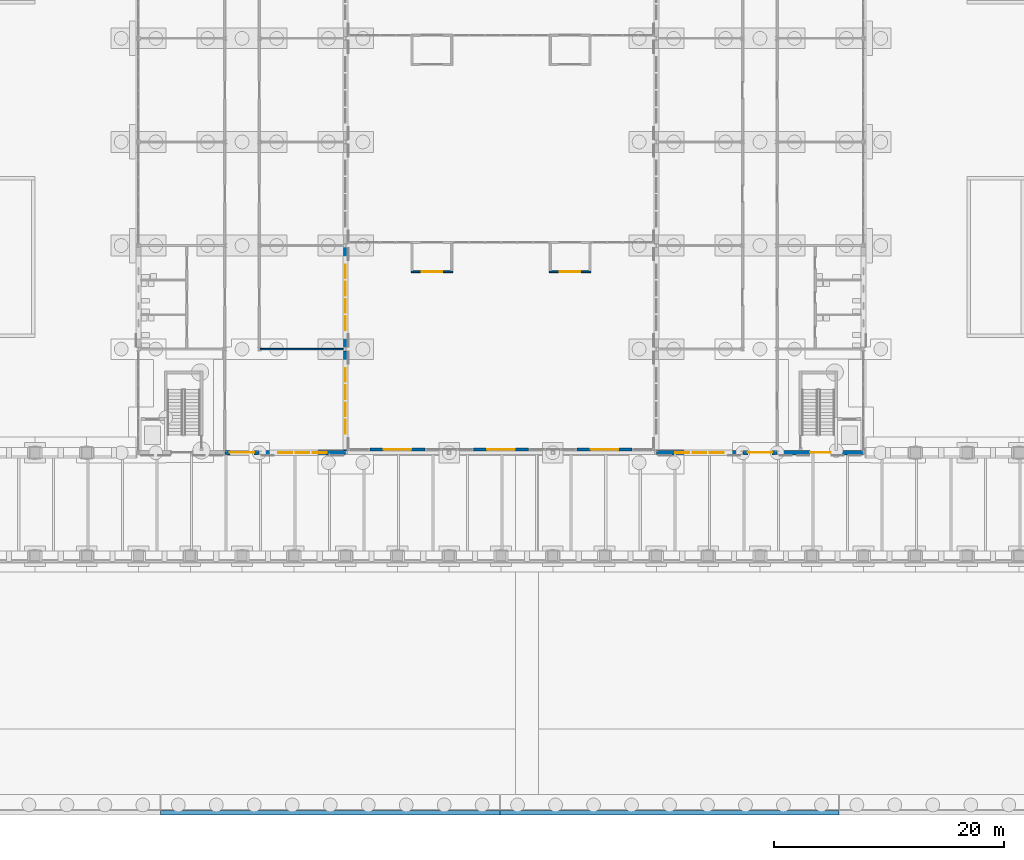
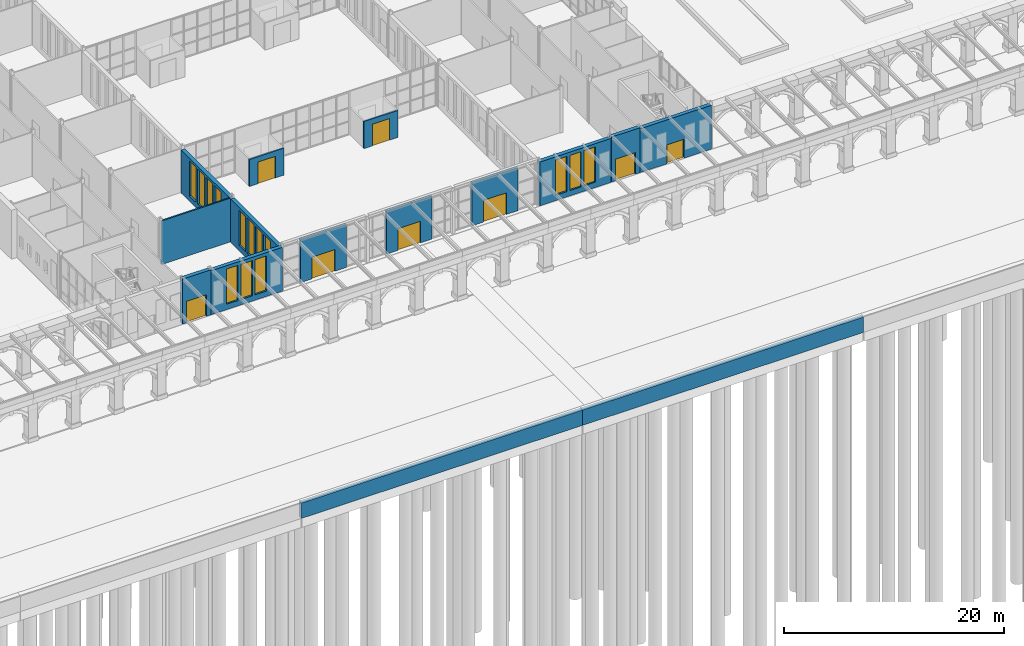
# One storey, part 87 of 168: 15 walls, 14 windows, 8 doors, 22 openings.
"""IFC4 building model written with IfcOpenShell, lengths in metres."""

from ifc_helpers import new_model, si_unit, direction, frame, frame_2d, origin, place, context, subcontext, project, spatial, rectangle, extrude, material, layer, layer_set, type_object, element, fill, save


model = new_model("IFC4")

# Units and contexts
model_context = context("Model", 3, precision=1e-05, world=origin(), true_north=direction((0.0, 1.0)))
body_context = subcontext(model_context, "Body", "Model", "MODEL_VIEW")
ifc_project = project(units=[si_unit("LENGTHUNIT", "METRE"), si_unit("AREAUNIT", "SQUARE_METRE"), si_unit("VOLUMEUNIT", "CUBIC_METRE"), si_unit("PLANEANGLEUNIT", "RADIAN"), si_unit("MASSUNIT", "GRAM", prefix="KILO")], contexts=[model_context])

# Site, building, storey
site_placement = place(None, origin())
site = spatial("IfcSite", under=ifc_project, at=site_placement, CompositionType="ELEMENT")
building_placement = place(site_placement, origin())
building = spatial("IfcBuilding", under=site, at=building_placement, Name="Golden Quay Civic Hall", CompositionType="ELEMENT")
storey_placement = place(building_placement, origin())
storey = spatial("IfcBuildingStorey", under=building, at=storey_placement, Name="L00", CompositionType="ELEMENT", Elevation=0.0)

# Wall, opening, door
ifc_material_1 = material(Name="Fire-resisting glass and steel", Category="steel")
ifc_layer_1 = layer(ifc_material_1, 0.14990234375)
ifc_layer_set_1 = layer_set([ifc_layer_1], Name="Fire lobby glazed wall 150")
wall_type_1 = type_object("IfcWallType", Name="Fire lobby glazed wall 150", PredefinedType="STANDARD", material=ifc_layer_set_1)
wall_1_placement = place(storey_placement, frame((77.699951171875, 15.719970703125, 0.0), z_axis=(0.0, 0.0, 1.0), x_axis=(1.0, 0.0, 0.0)))
wall_1 = element("IfcWall", 1, at=wall_1_placement, inside=storey, type_object=wall_type_1, Name="Fire lobby outer wall 1", PredefinedType="STANDARD", context=body_context, shape_type="SweptSolid", body=[
    extrude(rectangle(XDim=3.60009765625, YDim=0.14990234375, at=frame_2d((1.800048828125, 0.0))), origin(), (0.0, 0.0, 1.0), 3.0),
])
opening_1_placement = place(wall_1_placement, frame((0.89990234375, 0.0, 0.0)))
opening_1 = element("IfcOpeningElement", 2, at=opening_1_placement, cuts=wall_1, Name="Opening L00-D028", PredefinedType="OPENING", context=body_context, shape_type="SweptSolid", body=[
    extrude(rectangle(XDim=1.800048828125, YDim=2.39990234375, at=frame_2d((0.89990234375, 1.199951171875))), frame((0.0, 0.0849609375, 0.0), z_axis=(0.0, -1.0, 0.0), x_axis=(1.0, 0.0, 0.0)), (0.0, 0.0, 1.0), 0.169921875),
])
ifc_material_2 = material(Name="Fire-resisting glass and steel", Category="steel")
door_type_1 = type_object("IfcDoorType", Name="Fire-rated glazed double door 1800 x 2400", OperationType="DOUBLE_DOOR_SINGLE_SWING", PredefinedType="DOOR", material=ifc_material_2)
door_1_placement = place(opening_1_placement, origin())
door_1 = element("IfcDoor", 3, at=door_1_placement, inside=storey, type_object=door_type_1, Name="Fire lobby door 1", OperationType="DOUBLE_DOOR_SINGLE_SWING", OverallHeight=2.39990234375, OverallWidth=1.800048828125, PredefinedType="DOOR", context=body_context, shape_type="SweptSolid", body=[
    extrude(rectangle(XDim=1.800048828125, YDim=2.39990234375, at=frame_2d((0.89990234375, 1.199951171875))), frame((0.0, 0.02490234375, 0.0), z_axis=(0.0, -1.0, 0.0), x_axis=(1.0, 0.0, 0.0)), (0.0, 0.0, 1.0), 0.050048828125),
])
fill(opening_1, door_1)

wall_2_placement = place(storey_placement, frame((89.699951171875, 15.719970703125, 0.0), z_axis=(0.0, 0.0, 1.0), x_axis=(1.0, 0.0, 0.0)))
wall_2 = element("IfcWall", 4, at=wall_2_placement, inside=storey, type_object=wall_type_1, Name="Fire lobby outer wall 1", PredefinedType="STANDARD", context=body_context, shape_type="SweptSolid", body=[
    extrude(rectangle(XDim=3.60009765625, YDim=0.14990234375, at=frame_2d((1.800048828125, 0.0))), origin(), (0.0, 0.0, 1.0), 3.0),
])
opening_2_placement = place(wall_2_placement, frame((0.89990234375, 0.0, 0.0)))
opening_2 = element("IfcOpeningElement", 5, at=opening_2_placement, cuts=wall_2, Name="Opening L00-D029", PredefinedType="OPENING", context=body_context, shape_type="SweptSolid", body=[
    extrude(rectangle(XDim=1.800048828125, YDim=2.39990234375, at=frame_2d((0.89990234375, 1.199951171875))), frame((0.0, 0.0849609375, 0.0), z_axis=(0.0, -1.0, 0.0), x_axis=(1.0, 0.0, 0.0)), (0.0, 0.0, 1.0), 0.169921875),
])
door_2_placement = place(opening_2_placement, origin())
door_2 = element("IfcDoor", 6, at=door_2_placement, inside=storey, type_object=door_type_1, Name="Fire lobby door 1", OperationType="DOUBLE_DOOR_SINGLE_SWING", OverallHeight=2.39990234375, OverallWidth=1.800048828125, PredefinedType="DOOR", context=body_context, shape_type="SweptSolid", body=[
    extrude(rectangle(XDim=1.800048828125, YDim=2.39990234375, at=frame_2d((0.89990234375, 1.199951171875))), frame((0.0, 0.02490234375, 0.0), z_axis=(0.0, -1.0, 0.0), x_axis=(1.0, 0.0, 0.0)), (0.0, 0.0, 1.0), 0.050048828125),
])
fill(opening_2, door_2)

ifc_material_3 = material(Name="Glass and aluminium", Category="aluminium")
ifc_layer_2 = layer(ifc_material_3, 0.25)
ifc_layer_set_2 = layer_set([ifc_layer_2], Name="Glazed entrance screen 250")
wall_type_2 = type_object("IfcWallType", Name="Glazed entrance screen 250", PredefinedType="STANDARD", material=ifc_layer_set_2)
wall_3_placement = place(storey_placement, frame((78.89990234375, 0.27001953125, 0.0), z_axis=(0.0, 0.0, 1.0), x_axis=(-1.0, 0.0, 0.0)))
wall_3 = element("IfcWall", 7, at=wall_3_placement, inside=storey, type_object=wall_type_2, Name="Entrance screen HALL-1", PredefinedType="STANDARD", context=body_context, shape_type="SweptSolid", body=[
    extrude(rectangle(XDim=4.7998046875, YDim=0.25, at=frame_2d((2.39990234375, 0.0))), origin(), (0.0, 0.0, 1.0), 4.800048828125),
])
opening_3_placement = place(wall_3_placement, frame((1.199951171875, 0.0, 0.0)))
opening_3 = element("IfcOpeningElement", 8, at=opening_3_placement, cuts=wall_3, Name="Opening L00-D017", PredefinedType="OPENING", context=body_context, shape_type="SweptSolid", body=[
    extrude(rectangle(XDim=2.39990234375, YDim=2.39990234375, at=frame_2d((1.199951171875, 1.199951171875))), frame((0.0, 0.135009765625, 0.0), z_axis=(0.0, -1.0, 0.0), x_axis=(1.0, 0.0, 0.0)), (0.0, 0.0, 1.0), 0.27001953125),
])
ifc_material_4 = material(Name="Glass and aluminium", Category="aluminium")
door_type_2 = type_object("IfcDoorType", Name="Glazed double door 2400 x 2400", OperationType="DOUBLE_DOOR_SINGLE_SWING", PredefinedType="DOOR", material=ifc_material_4)
door_3_placement = place(opening_3_placement, origin())
door_3 = element("IfcDoor", 9, at=door_3_placement, inside=storey, type_object=door_type_2, Name="Door HALL-1", OperationType="DOUBLE_DOOR_SINGLE_SWING", OverallHeight=2.39990234375, OverallWidth=2.39990234375, PredefinedType="DOOR", context=body_context, shape_type="SweptSolid", body=[
    extrude(rectangle(XDim=2.39990234375, YDim=2.39990234375, at=frame_2d((1.199951171875, 1.199951171875))), frame((0.0, 0.02490234375, 0.0), z_axis=(0.0, -1.0, 0.0), x_axis=(1.0, 0.0, 0.0)), (0.0, 0.0, 1.0), 0.050048828125),
])
fill(opening_3, door_3)

wall_4_placement = place(storey_placement, frame((87.89990234375, 0.27001953125, 0.0), z_axis=(0.0, 0.0, 1.0), x_axis=(-1.0, 0.0, 0.0)))
wall_4 = element("IfcWall", 10, at=wall_4_placement, inside=storey, type_object=wall_type_2, Name="Entrance screen HALL-2", PredefinedType="STANDARD", context=body_context, shape_type="SweptSolid", body=[
    extrude(rectangle(XDim=4.7998046875, YDim=0.25, at=frame_2d((2.39990234375, 0.0))), origin(), (0.0, 0.0, 1.0), 4.800048828125),
])
opening_4_placement = place(wall_4_placement, frame((1.199951171875, 0.0, 0.0)))
opening_4 = element("IfcOpeningElement", 11, at=opening_4_placement, cuts=wall_4, Name="Opening L00-D018", PredefinedType="OPENING", context=body_context, shape_type="SweptSolid", body=[
    extrude(rectangle(XDim=2.39990234375, YDim=2.39990234375, at=frame_2d((1.199951171875, 1.199951171875))), frame((0.0, 0.135009765625, 0.0), z_axis=(0.0, -1.0, 0.0), x_axis=(1.0, 0.0, 0.0)), (0.0, 0.0, 1.0), 0.27001953125),
])
door_4_placement = place(opening_4_placement, origin())
door_4 = element("IfcDoor", 12, at=door_4_placement, inside=storey, type_object=door_type_2, Name="Door HALL-2", OperationType="DOUBLE_DOOR_SINGLE_SWING", OverallHeight=2.39990234375, OverallWidth=2.39990234375, PredefinedType="DOOR", context=body_context, shape_type="SweptSolid", body=[
    extrude(rectangle(XDim=2.39990234375, YDim=2.39990234375, at=frame_2d((1.199951171875, 1.199951171875))), frame((0.0, 0.02490234375, 0.0), z_axis=(0.0, -1.0, 0.0), x_axis=(1.0, 0.0, 0.0)), (0.0, 0.0, 1.0), 0.050048828125),
])
fill(opening_4, door_4)

wall_5_placement = place(storey_placement, frame((96.89990234375, 0.27001953125, 0.0), z_axis=(0.0, 0.0, 1.0), x_axis=(-1.0, 0.0, 0.0)))
wall_5 = element("IfcWall", 13, at=wall_5_placement, inside=storey, type_object=wall_type_2, Name="Entrance screen HALL-3", PredefinedType="STANDARD", context=body_context, shape_type="SweptSolid", body=[
    extrude(rectangle(XDim=4.7998046875, YDim=0.25, at=frame_2d((2.39990234375, 0.0))), origin(), (0.0, 0.0, 1.0), 4.800048828125),
])
opening_5_placement = place(wall_5_placement, frame((1.199951171875, 0.0, 0.0)))
opening_5 = element("IfcOpeningElement", 14, at=opening_5_placement, cuts=wall_5, Name="Opening L00-D019", PredefinedType="OPENING", context=body_context, shape_type="SweptSolid", body=[
    extrude(rectangle(XDim=2.39990234375, YDim=2.39990234375, at=frame_2d((1.199951171875, 1.199951171875))), frame((0.0, 0.135009765625, 0.0), z_axis=(0.0, -1.0, 0.0), x_axis=(1.0, 0.0, 0.0)), (0.0, 0.0, 1.0), 0.27001953125),
])
door_5_placement = place(opening_5_placement, origin())
door_5 = element("IfcDoor", 15, at=door_5_placement, inside=storey, type_object=door_type_2, Name="Door HALL-3", OperationType="DOUBLE_DOOR_SINGLE_SWING", OverallHeight=2.39990234375, OverallWidth=2.39990234375, PredefinedType="DOOR", context=body_context, shape_type="SweptSolid", body=[
    extrude(rectangle(XDim=2.39990234375, YDim=2.39990234375, at=frame_2d((1.199951171875, 1.199951171875))), frame((0.0, 0.02490234375, 0.0), z_axis=(0.0, -1.0, 0.0), x_axis=(1.0, 0.0, 0.0)), (0.0, 0.0, 1.0), 0.050048828125),
])
fill(opening_5, door_5)

# Walls
ifc_material_5 = material(Name="Plasterboard on steel studs", Category="steel")
ifc_layer_3 = layer(ifc_material_5, 0.14990234375)
ifc_layer_set_3 = layer_set([ifc_layer_3], Name="Partition 150 stud fire EI 60")
wall_type_3 = type_object("IfcWallType", Name="Partition 150 stud fire EI 60", PredefinedType="PARTITIONING", material=ifc_layer_set_3)
wall_6_placement = place(storey_placement, frame((64.574951171875, 9.0, 0.0), z_axis=(0.0, 0.0, 1.0), x_axis=(1.0, 0.0, 0.0)))
element("IfcWall", 16, at=wall_6_placement, inside=storey, type_object=wall_type_3, Name="Partition L00-004", PredefinedType="PARTITIONING", context=body_context, shape_type="SweptSolid", body=[
    extrude(rectangle(XDim=7.22509765625, YDim=0.14990234375, at=frame_2d((3.612548828125, 0.0))), origin(), (0.0, 0.0, 1.0), 4.85009765625),
])
ifc_material_6 = material(Name="Concrete C40/50", Category="concrete")
ifc_layer_4 = layer(ifc_material_6, 0.39990234375)
ifc_layer_set_4 = layer_set([ifc_layer_4], Name="Quay wall 400")
wall_type_4 = type_object("IfcWallType", Name="Quay wall 400", PredefinedType="STANDARD", material=ifc_layer_set_4)
for number, where, z_axis, x_axis, name in (
    (17, (55.919921875, -31.300048828125, -0.60009765625), (0.0, 0.0, 1.0), (1.0, 0.0, 0.0), "Quay wall run 3"),
    (18, (85.39990234375, -31.300048828125, -0.60009765625), (0.0, 0.0, 1.0), (1.0, 0.0, 0.0), "Quay wall run 4"),
):
    element("IfcWall", number, at=place(storey_placement, frame(where, z_axis=z_axis, x_axis=x_axis)), inside=storey, type_object=wall_type_4, Name=name, PredefinedType="STANDARD", context=body_context, shape_type="SweptSolid", body=[
        extrude(rectangle(XDim=29.47998046875, YDim=0.39990234375, at=frame_2d((14.739990234375, 0.0))), origin(), (0.0, 0.0, 1.0), 1.7001953125),
    ])

# Wall, openings, windows
ifc_material_7 = material(Name="Clay block, rendered, cream")
ifc_layer_5 = layer(ifc_material_7, 0.39990234375)
ifc_layer_set_5 = layer_set([ifc_layer_5], Name="Rendered block external wall 400")
wall_type_5 = type_object("IfcWallType", Name="Rendered block external wall 400", PredefinedType="STANDARD", material=ifc_layer_set_5)
wall_7_placement = place(storey_placement, frame((72.0, 8.85498046875, 0.0), z_axis=(0.0, 0.0, 1.0), x_axis=(0.0, -1.0, 0.0)))
wall_7 = element("IfcWall", 19, at=wall_7_placement, inside=storey, type_object=wall_type_5, Name="Rendered block external wall 400 L00 24", PredefinedType="STANDARD", context=body_context, shape_type="SweptSolid", body=[
    extrude(rectangle(XDim=8.7099609375, YDim=0.39990234375, at=frame_2d((4.35498046875, 0.0))), origin(), (0.0, 0.0, 1.0), 4.800048828125),
])
opening_6_placement = place(wall_7_placement, frame((6.0048828125, 0.0, 0.60009765625)))
opening_6 = element("IfcOpeningElement", 20, at=opening_6_placement, cuts=wall_7, Name="Opening WN3", PredefinedType="OPENING", context=body_context, shape_type="SweptSolid", body=[
    extrude(rectangle(XDim=1.199951171875, YDim=3.89990234375, at=frame_2d((0.60009765625, 1.949951171875))), frame((0.0, 0.2099609375, 0.0), z_axis=(0.0, -1.0, 0.0), x_axis=(1.0, 0.0, 0.0)), (0.0, 0.0, 1.0), 0.419921875),
])
opening_7_placement = place(wall_7_placement, frame((4.5048828125, 0.0, 0.60009765625)))
opening_7 = element("IfcOpeningElement", 21, at=opening_7_placement, cuts=wall_7, Name="Opening WN3", PredefinedType="OPENING", context=body_context, shape_type="SweptSolid", body=[
    extrude(rectangle(XDim=1.199951171875, YDim=3.89990234375, at=frame_2d((0.60009765625, 1.949951171875))), frame((0.0, 0.2099609375, 0.0), z_axis=(0.0, -1.0, 0.0), x_axis=(1.0, 0.0, 0.0)), (0.0, 0.0, 1.0), 0.419921875),
])
opening_8_placement = place(wall_7_placement, frame((3.0048828125, 0.0, 0.60009765625)))
opening_8 = element("IfcOpeningElement", 22, at=opening_8_placement, cuts=wall_7, Name="Opening WN3", PredefinedType="OPENING", context=body_context, shape_type="SweptSolid", body=[
    extrude(rectangle(XDim=1.199951171875, YDim=3.89990234375, at=frame_2d((0.60009765625, 1.949951171875))), frame((0.0, 0.2099609375, 0.0), z_axis=(0.0, -1.0, 0.0), x_axis=(1.0, 0.0, 0.0)), (0.0, 0.0, 1.0), 0.419921875),
])
opening_9_placement = place(wall_7_placement, frame((1.5048828125, 0.0, 0.60009765625)))
opening_9 = element("IfcOpeningElement", 23, at=opening_9_placement, cuts=wall_7, Name="Opening WN3", PredefinedType="OPENING", context=body_context, shape_type="SweptSolid", body=[
    extrude(rectangle(XDim=1.199951171875, YDim=3.89990234375, at=frame_2d((0.60009765625, 1.949951171875))), frame((0.0, 0.2099609375, 0.0), z_axis=(0.0, -1.0, 0.0), x_axis=(1.0, 0.0, 0.0)), (0.0, 0.0, 1.0), 0.419921875),
])
ifc_material_8 = material(Name="Aluminium frame, double glazed", Category="aluminium")
window_type = type_object("IfcWindowType", Name="Golden grid window 1200 x 3900", PartitioningType="SINGLE_PANEL", PredefinedType="WINDOW", material=ifc_material_8)
window_1_placement = place(opening_6_placement, origin())
window_1 = element("IfcWindow", 24, at=window_1_placement, inside=storey, type_object=window_type, Name="Golden grid window 1200 x 3900 L00 43", OverallHeight=3.89990234375, OverallWidth=1.199951171875, PartitioningType="SINGLE_PANEL", PredefinedType="WINDOW", context=body_context, shape_type="SweptSolid", body=[
    extrude(rectangle(XDim=1.199951171875, YDim=3.89990234375, at=frame_2d((0.60009765625, 1.949951171875))), frame((0.0, 0.030029296875, 0.0), z_axis=(0.0, -1.0, 0.0), x_axis=(1.0, 0.0, 0.0)), (0.0, 0.0, 1.0), 0.06005859375),
])
fill(opening_6, window_1)
window_2_placement = place(opening_7_placement, origin())
window_2 = element("IfcWindow", 25, at=window_2_placement, inside=storey, type_object=window_type, Name="Golden grid window 1200 x 3900 L00 44", OverallHeight=3.89990234375, OverallWidth=1.199951171875, PartitioningType="SINGLE_PANEL", PredefinedType="WINDOW", context=body_context, shape_type="SweptSolid", body=[
    extrude(rectangle(XDim=1.199951171875, YDim=3.89990234375, at=frame_2d((0.60009765625, 1.949951171875))), frame((0.0, 0.030029296875, 0.0), z_axis=(0.0, -1.0, 0.0), x_axis=(1.0, 0.0, 0.0)), (0.0, 0.0, 1.0), 0.06005859375),
])
fill(opening_7, window_2)
window_3_placement = place(opening_8_placement, origin())
window_3 = element("IfcWindow", 26, at=window_3_placement, inside=storey, type_object=window_type, Name="Golden grid window 1200 x 3900 L00 45", OverallHeight=3.89990234375, OverallWidth=1.199951171875, PartitioningType="SINGLE_PANEL", PredefinedType="WINDOW", context=body_context, shape_type="SweptSolid", body=[
    extrude(rectangle(XDim=1.199951171875, YDim=3.89990234375, at=frame_2d((0.60009765625, 1.949951171875))), frame((0.0, 0.030029296875, 0.0), z_axis=(0.0, -1.0, 0.0), x_axis=(1.0, 0.0, 0.0)), (0.0, 0.0, 1.0), 0.06005859375),
])
fill(opening_8, window_3)
window_4_placement = place(opening_9_placement, origin())
window_4 = element("IfcWindow", 27, at=window_4_placement, inside=storey, type_object=window_type, Name="Golden grid window 1200 x 3900 L00 46", OverallHeight=3.89990234375, OverallWidth=1.199951171875, PartitioningType="SINGLE_PANEL", PredefinedType="WINDOW", context=body_context, shape_type="SweptSolid", body=[
    extrude(rectangle(XDim=1.199951171875, YDim=3.89990234375, at=frame_2d((0.60009765625, 1.949951171875))), frame((0.0, 0.030029296875, 0.0), z_axis=(0.0, -1.0, 0.0), x_axis=(1.0, 0.0, 0.0)), (0.0, 0.0, 1.0), 0.06005859375),
])
fill(opening_9, window_4)

wall_8_placement = place(storey_placement, frame((72.0, 17.85498046875, 0.0), z_axis=(0.0, 0.0, 1.0), x_axis=(0.0, -1.0, 0.0)))
wall_8 = element("IfcWall", 28, at=wall_8_placement, inside=storey, type_object=wall_type_5, Name="Rendered block external wall 400 L00 25", PredefinedType="STANDARD", context=body_context, shape_type="SweptSolid", body=[
    extrude(rectangle(XDim=8.7099609375, YDim=0.39990234375, at=frame_2d((4.35498046875, 0.0))), origin(), (0.0, 0.0, 1.0), 4.800048828125),
])
opening_10_placement = place(wall_8_placement, frame((6.0048828125, 0.0, 0.60009765625)))
opening_10 = element("IfcOpeningElement", 29, at=opening_10_placement, cuts=wall_8, Name="Opening WN3", PredefinedType="OPENING", context=body_context, shape_type="SweptSolid", body=[
    extrude(rectangle(XDim=1.199951171875, YDim=3.89990234375, at=frame_2d((0.60009765625, 1.949951171875))), frame((0.0, 0.2099609375, 0.0), z_axis=(0.0, -1.0, 0.0), x_axis=(1.0, 0.0, 0.0)), (0.0, 0.0, 1.0), 0.419921875),
])
opening_11_placement = place(wall_8_placement, frame((4.5048828125, 0.0, 0.60009765625)))
opening_11 = element("IfcOpeningElement", 30, at=opening_11_placement, cuts=wall_8, Name="Opening WN3", PredefinedType="OPENING", context=body_context, shape_type="SweptSolid", body=[
    extrude(rectangle(XDim=1.199951171875, YDim=3.89990234375, at=frame_2d((0.60009765625, 1.949951171875))), frame((0.0, 0.2099609375, 0.0), z_axis=(0.0, -1.0, 0.0), x_axis=(1.0, 0.0, 0.0)), (0.0, 0.0, 1.0), 0.419921875),
])
opening_12_placement = place(wall_8_placement, frame((3.0048828125, 0.0, 0.60009765625)))
opening_12 = element("IfcOpeningElement", 31, at=opening_12_placement, cuts=wall_8, Name="Opening WN3", PredefinedType="OPENING", context=body_context, shape_type="SweptSolid", body=[
    extrude(rectangle(XDim=1.199951171875, YDim=3.89990234375, at=frame_2d((0.60009765625, 1.949951171875))), frame((0.0, 0.2099609375, 0.0), z_axis=(0.0, -1.0, 0.0), x_axis=(1.0, 0.0, 0.0)), (0.0, 0.0, 1.0), 0.419921875),
])
opening_13_placement = place(wall_8_placement, frame((1.5048828125, 0.0, 0.60009765625)))
opening_13 = element("IfcOpeningElement", 32, at=opening_13_placement, cuts=wall_8, Name="Opening WN3", PredefinedType="OPENING", context=body_context, shape_type="SweptSolid", body=[
    extrude(rectangle(XDim=1.199951171875, YDim=3.89990234375, at=frame_2d((0.60009765625, 1.949951171875))), frame((0.0, 0.2099609375, 0.0), z_axis=(0.0, -1.0, 0.0), x_axis=(1.0, 0.0, 0.0)), (0.0, 0.0, 1.0), 0.419921875),
])
window_5_placement = place(opening_10_placement, origin())
window_5 = element("IfcWindow", 33, at=window_5_placement, inside=storey, type_object=window_type, Name="Golden grid window 1200 x 3900 L00 47", OverallHeight=3.89990234375, OverallWidth=1.199951171875, PartitioningType="SINGLE_PANEL", PredefinedType="WINDOW", context=body_context, shape_type="SweptSolid", body=[
    extrude(rectangle(XDim=1.199951171875, YDim=3.89990234375, at=frame_2d((0.60009765625, 1.949951171875))), frame((0.0, 0.030029296875, 0.0), z_axis=(0.0, -1.0, 0.0), x_axis=(1.0, 0.0, 0.0)), (0.0, 0.0, 1.0), 0.06005859375),
])
fill(opening_10, window_5)
window_6_placement = place(opening_11_placement, origin())
window_6 = element("IfcWindow", 34, at=window_6_placement, inside=storey, type_object=window_type, Name="Golden grid window 1200 x 3900 L00 48", OverallHeight=3.89990234375, OverallWidth=1.199951171875, PartitioningType="SINGLE_PANEL", PredefinedType="WINDOW", context=body_context, shape_type="SweptSolid", body=[
    extrude(rectangle(XDim=1.199951171875, YDim=3.89990234375, at=frame_2d((0.60009765625, 1.949951171875))), frame((0.0, 0.030029296875, 0.0), z_axis=(0.0, -1.0, 0.0), x_axis=(1.0, 0.0, 0.0)), (0.0, 0.0, 1.0), 0.06005859375),
])
fill(opening_11, window_6)
window_7_placement = place(opening_12_placement, origin())
window_7 = element("IfcWindow", 35, at=window_7_placement, inside=storey, type_object=window_type, Name="Golden grid window 1200 x 3900 L00 49", OverallHeight=3.89990234375, OverallWidth=1.199951171875, PartitioningType="SINGLE_PANEL", PredefinedType="WINDOW", context=body_context, shape_type="SweptSolid", body=[
    extrude(rectangle(XDim=1.199951171875, YDim=3.89990234375, at=frame_2d((0.60009765625, 1.949951171875))), frame((0.0, 0.030029296875, 0.0), z_axis=(0.0, -1.0, 0.0), x_axis=(1.0, 0.0, 0.0)), (0.0, 0.0, 1.0), 0.06005859375),
])
fill(opening_12, window_7)
window_8_placement = place(opening_13_placement, origin())
window_8 = element("IfcWindow", 36, at=window_8_placement, inside=storey, type_object=window_type, Name="Golden grid window 1200 x 3900 L00 50", OverallHeight=3.89990234375, OverallWidth=1.199951171875, PartitioningType="SINGLE_PANEL", PredefinedType="WINDOW", context=body_context, shape_type="SweptSolid", body=[
    extrude(rectangle(XDim=1.199951171875, YDim=3.89990234375, at=frame_2d((0.60009765625, 1.949951171875))), frame((0.0, 0.030029296875, 0.0), z_axis=(0.0, -1.0, 0.0), x_axis=(1.0, 0.0, 0.0)), (0.0, 0.0, 1.0), 0.06005859375),
])
fill(opening_13, window_8)

# Wall, opening, door
wall_9_placement = place(storey_placement, frame((64.49072265625, 0.0, 0.0), z_axis=(0.0, 0.0, 1.0), x_axis=(-1.0, 0.0, 0.0)))
wall_9 = element("IfcWall", 37, at=wall_9_placement, inside=storey, type_object=wall_type_5, Name="Rendered block external wall 400 L00 30", PredefinedType="STANDARD", context=body_context, shape_type="SweptSolid", body=[
    extrude(rectangle(XDim=2.9814453125, YDim=0.39990234375, at=frame_2d((1.49072265625, 0.0))), origin(), (0.0, 0.0, 1.0), 5.0),
])
opening_14_placement = place(wall_9_placement, frame((0.440673828125, 0.0, 0.0)))
opening_14 = element("IfcOpeningElement", 38, at=opening_14_placement, cuts=wall_9, Name="Opening L00-D009", PredefinedType="OPENING", context=body_context, shape_type="SweptSolid", body=[
    extrude(rectangle(XDim=2.10009765625, YDim=2.39990234375, at=frame_2d((1.050048828125, 1.199951171875))), frame((0.0, 0.2099609375, 0.0), z_axis=(0.0, -1.0, 0.0), x_axis=(1.0, 0.0, 0.0)), (0.0, 0.0, 1.0), 0.419921875),
])
ifc_material_9 = material(Name="Aluminium frame, glazed", Category="aluminium")
door_type_3 = type_object("IfcDoorType", Name="Glazed double entrance door 2100 x 2400", OperationType="DOUBLE_DOOR_SINGLE_SWING", PredefinedType="DOOR", material=ifc_material_9)
door_6_placement = place(opening_14_placement, origin())
door_6 = element("IfcDoor", 39, at=door_6_placement, inside=storey, type_object=door_type_3, Name="Door L00-D009", OperationType="DOUBLE_DOOR_SINGLE_SWING", OverallHeight=2.39990234375, OverallWidth=2.10009765625, PredefinedType="DOOR", context=body_context, shape_type="SweptSolid", body=[
    extrude(rectangle(XDim=2.10009765625, YDim=2.39990234375, at=frame_2d((1.050048828125, 1.199951171875))), frame((0.0, 0.02490234375, 0.0), z_axis=(0.0, -1.0, 0.0), x_axis=(1.0, 0.0, 0.0)), (0.0, 0.0, 1.0), 0.050048828125),
])
fill(opening_14, door_6)

# Wall, openings, windows
wall_10_placement = place(storey_placement, frame((71.99072265625, 0.0, 0.0), z_axis=(0.0, 0.0, 1.0), x_axis=(-1.0, 0.0, 0.0)))
wall_10 = element("IfcWall", 40, at=wall_10_placement, inside=storey, type_object=wall_type_5, Name="Rendered block external wall 400 L00 31", PredefinedType="STANDARD", context=body_context, shape_type="SweptSolid", body=[
    extrude(rectangle(XDim=7.4814453125, YDim=0.39990234375, at=frame_2d((3.74072265625, 0.0))), origin(), (0.0, 0.0, 1.0), 4.8701171875),
])
opening_15_placement = place(wall_10_placement, frame((4.640869140625, 0.0, 0.60009765625)))
opening_15 = element("IfcOpeningElement", 41, at=opening_15_placement, cuts=wall_10, Name="Opening WN3", PredefinedType="OPENING", context=body_context, shape_type="SweptSolid", body=[
    extrude(rectangle(XDim=1.199951171875, YDim=3.89990234375, at=frame_2d((0.60009765625, 1.949951171875))), frame((0.0, 0.2099609375, 0.0), z_axis=(0.0, -1.0, 0.0), x_axis=(1.0, 0.0, 0.0)), (0.0, 0.0, 1.0), 0.419921875),
])
opening_16_placement = place(wall_10_placement, frame((3.140869140625, 0.0, 0.60009765625)))
opening_16 = element("IfcOpeningElement", 42, at=opening_16_placement, cuts=wall_10, Name="Opening WN3", PredefinedType="OPENING", context=body_context, shape_type="SweptSolid", body=[
    extrude(rectangle(XDim=1.199951171875, YDim=3.89990234375, at=frame_2d((0.60009765625, 1.949951171875))), frame((0.0, 0.2099609375, 0.0), z_axis=(0.0, -1.0, 0.0), x_axis=(1.0, 0.0, 0.0)), (0.0, 0.0, 1.0), 0.419921875),
])
opening_17_placement = place(wall_10_placement, frame((1.640869140625, 0.0, 0.60009765625)))
opening_17 = element("IfcOpeningElement", 43, at=opening_17_placement, cuts=wall_10, Name="Opening WN3", PredefinedType="OPENING", context=body_context, shape_type="SweptSolid", body=[
    extrude(rectangle(XDim=1.199951171875, YDim=3.89990234375, at=frame_2d((0.60009765625, 1.949951171875))), frame((0.0, 0.2099609375, 0.0), z_axis=(0.0, -1.0, 0.0), x_axis=(1.0, 0.0, 0.0)), (0.0, 0.0, 1.0), 0.419921875),
])
window_9_placement = place(opening_15_placement, origin())
window_9 = element("IfcWindow", 44, at=window_9_placement, inside=storey, type_object=window_type, Name="Golden grid window 1200 x 3900 L00 67", OverallHeight=3.89990234375, OverallWidth=1.199951171875, PartitioningType="SINGLE_PANEL", PredefinedType="WINDOW", context=body_context, shape_type="SweptSolid", body=[
    extrude(rectangle(XDim=1.199951171875, YDim=3.89990234375, at=frame_2d((0.60009765625, 1.949951171875))), frame((0.0, 0.030029296875, 0.0), z_axis=(0.0, -1.0, 0.0), x_axis=(1.0, 0.0, 0.0)), (0.0, 0.0, 1.0), 0.06005859375),
])
fill(opening_15, window_9)
window_10_placement = place(opening_16_placement, origin())
window_10 = element("IfcWindow", 45, at=window_10_placement, inside=storey, type_object=window_type, Name="Golden grid window 1200 x 3900 L00 68", OverallHeight=3.89990234375, OverallWidth=1.199951171875, PartitioningType="SINGLE_PANEL", PredefinedType="WINDOW", context=body_context, shape_type="SweptSolid", body=[
    extrude(rectangle(XDim=1.199951171875, YDim=3.89990234375, at=frame_2d((0.60009765625, 1.949951171875))), frame((0.0, 0.030029296875, 0.0), z_axis=(0.0, -1.0, 0.0), x_axis=(1.0, 0.0, 0.0)), (0.0, 0.0, 1.0), 0.06005859375),
])
fill(opening_16, window_10)
window_11_placement = place(opening_17_placement, origin())
window_11 = element("IfcWindow", 46, at=window_11_placement, inside=storey, type_object=window_type, Name="Golden grid window 1200 x 3900 L00 69", OverallHeight=3.89990234375, OverallWidth=1.199951171875, PartitioningType="SINGLE_PANEL", PredefinedType="WINDOW", context=body_context, shape_type="SweptSolid", body=[
    extrude(rectangle(XDim=1.199951171875, YDim=3.89990234375, at=frame_2d((0.60009765625, 1.949951171875))), frame((0.0, 0.030029296875, 0.0), z_axis=(0.0, -1.0, 0.0), x_axis=(1.0, 0.0, 0.0)), (0.0, 0.0, 1.0), 0.06005859375),
])
fill(opening_17, window_11)

wall_11_placement = place(storey_placement, frame((106.49072265625, 0.0, 0.0), z_axis=(0.0, 0.0, 1.0), x_axis=(-1.0, 0.0, 0.0)))
wall_11 = element("IfcWall", 47, at=wall_11_placement, inside=storey, type_object=wall_type_5, Name="Rendered block external wall 400 L00 41", PredefinedType="STANDARD", context=body_context, shape_type="SweptSolid", body=[
    extrude(rectangle(XDim=7.4814453125, YDim=0.39990234375, at=frame_2d((3.74072265625, 0.0))), origin(), (0.0, 0.0, 1.0), 4.8701171875),
])
opening_18_placement = place(wall_11_placement, frame((4.640869140625, 0.0, 0.60009765625)))
opening_18 = element("IfcOpeningElement", 48, at=opening_18_placement, cuts=wall_11, Name="Opening WN3", PredefinedType="OPENING", context=body_context, shape_type="SweptSolid", body=[
    extrude(rectangle(XDim=1.199951171875, YDim=3.89990234375, at=frame_2d((0.60009765625, 1.949951171875))), frame((0.0, 0.2099609375, 0.0), z_axis=(0.0, -1.0, 0.0), x_axis=(1.0, 0.0, 0.0)), (0.0, 0.0, 1.0), 0.419921875),
])
opening_19_placement = place(wall_11_placement, frame((3.140869140625, 0.0, 0.60009765625)))
opening_19 = element("IfcOpeningElement", 49, at=opening_19_placement, cuts=wall_11, Name="Opening WN3", PredefinedType="OPENING", context=body_context, shape_type="SweptSolid", body=[
    extrude(rectangle(XDim=1.199951171875, YDim=3.89990234375, at=frame_2d((0.60009765625, 1.949951171875))), frame((0.0, 0.2099609375, 0.0), z_axis=(0.0, -1.0, 0.0), x_axis=(1.0, 0.0, 0.0)), (0.0, 0.0, 1.0), 0.419921875),
])
opening_20_placement = place(wall_11_placement, frame((1.640869140625, 0.0, 0.60009765625)))
opening_20 = element("IfcOpeningElement", 50, at=opening_20_placement, cuts=wall_11, Name="Opening WN3", PredefinedType="OPENING", context=body_context, shape_type="SweptSolid", body=[
    extrude(rectangle(XDim=1.199951171875, YDim=3.89990234375, at=frame_2d((0.60009765625, 1.949951171875))), frame((0.0, 0.2099609375, 0.0), z_axis=(0.0, -1.0, 0.0), x_axis=(1.0, 0.0, 0.0)), (0.0, 0.0, 1.0), 0.419921875),
])
window_12_placement = place(opening_18_placement, origin())
window_12 = element("IfcWindow", 51, at=window_12_placement, inside=storey, type_object=window_type, Name="Golden grid window 1200 x 3900 L00 95", OverallHeight=3.89990234375, OverallWidth=1.199951171875, PartitioningType="SINGLE_PANEL", PredefinedType="WINDOW", context=body_context, shape_type="SweptSolid", body=[
    extrude(rectangle(XDim=1.199951171875, YDim=3.89990234375, at=frame_2d((0.60009765625, 1.949951171875))), frame((0.0, 0.030029296875, 0.0), z_axis=(0.0, -1.0, 0.0), x_axis=(1.0, 0.0, 0.0)), (0.0, 0.0, 1.0), 0.06005859375),
])
fill(opening_18, window_12)
window_13_placement = place(opening_19_placement, origin())
window_13 = element("IfcWindow", 52, at=window_13_placement, inside=storey, type_object=window_type, Name="Golden grid window 1200 x 3900 L00 96", OverallHeight=3.89990234375, OverallWidth=1.199951171875, PartitioningType="SINGLE_PANEL", PredefinedType="WINDOW", context=body_context, shape_type="SweptSolid", body=[
    extrude(rectangle(XDim=1.199951171875, YDim=3.89990234375, at=frame_2d((0.60009765625, 1.949951171875))), frame((0.0, 0.030029296875, 0.0), z_axis=(0.0, -1.0, 0.0), x_axis=(1.0, 0.0, 0.0)), (0.0, 0.0, 1.0), 0.06005859375),
])
fill(opening_19, window_13)
window_14_placement = place(opening_20_placement, origin())
window_14 = element("IfcWindow", 53, at=window_14_placement, inside=storey, type_object=window_type, Name="Golden grid window 1200 x 3900 L00 97", OverallHeight=3.89990234375, OverallWidth=1.199951171875, PartitioningType="SINGLE_PANEL", PredefinedType="WINDOW", context=body_context, shape_type="SweptSolid", body=[
    extrude(rectangle(XDim=1.199951171875, YDim=3.89990234375, at=frame_2d((0.60009765625, 1.949951171875))), frame((0.0, 0.030029296875, 0.0), z_axis=(0.0, -1.0, 0.0), x_axis=(1.0, 0.0, 0.0)), (0.0, 0.0, 1.0), 0.06005859375),
])
fill(opening_20, window_14)

# Wall, opening, door
wall_12_placement = place(storey_placement, frame((109.49072265625, 0.0, 0.0), z_axis=(0.0, 0.0, 1.0), x_axis=(-1.0, 0.0, 0.0)))
wall_12 = element("IfcWall", 54, at=wall_12_placement, inside=storey, type_object=wall_type_5, Name="Rendered block external wall 400 L00 42", PredefinedType="STANDARD", context=body_context, shape_type="SweptSolid", body=[
    extrude(rectangle(XDim=2.9814453125, YDim=0.39990234375, at=frame_2d((1.49072265625, 0.0))), origin(), (0.0, 0.0, 1.0), 5.0),
])
opening_21_placement = place(wall_12_placement, frame((0.440673828125, 0.0, 0.0)))
opening_21 = element("IfcOpeningElement", 55, at=opening_21_placement, cuts=wall_12, Name="Opening L00-D011", PredefinedType="OPENING", context=body_context, shape_type="SweptSolid", body=[
    extrude(rectangle(XDim=2.10009765625, YDim=2.39990234375, at=frame_2d((1.050048828125, 1.199951171875))), frame((0.0, 0.2099609375, 0.0), z_axis=(0.0, -1.0, 0.0), x_axis=(1.0, 0.0, 0.0)), (0.0, 0.0, 1.0), 0.419921875),
])
door_7_placement = place(opening_21_placement, origin())
door_7 = element("IfcDoor", 56, at=door_7_placement, inside=storey, type_object=door_type_3, Name="Door L00-D011", OperationType="DOUBLE_DOOR_SINGLE_SWING", OverallHeight=2.39990234375, OverallWidth=2.10009765625, PredefinedType="DOOR", context=body_context, shape_type="SweptSolid", body=[
    extrude(rectangle(XDim=2.10009765625, YDim=2.39990234375, at=frame_2d((1.050048828125, 1.199951171875))), frame((0.0, 0.02490234375, 0.0), z_axis=(0.0, -1.0, 0.0), x_axis=(1.0, 0.0, 0.0)), (0.0, 0.0, 1.0), 0.050048828125),
])
fill(opening_21, door_7)

ifc_material_10 = material(Name="Clay block, rendered, cream")
ifc_layer_6 = layer(ifc_material_10, 0.39990234375)
ifc_layer_set_6 = layer_set([ifc_layer_6], Name="Rendered block external wall 400 fire EI 60")
wall_type_6 = type_object("IfcWallType", Name="Rendered block external wall 400 fire EI 60", PredefinedType="STANDARD", material=ifc_layer_set_6)
wall_13_placement = place(storey_placement, frame((116.99072265625, 0.0, 0.0), z_axis=(0.0, 0.0, 1.0), x_axis=(-1.0, 0.0, 0.0)))
wall_13 = element("IfcWall", 57, at=wall_13_placement, inside=storey, type_object=wall_type_6, Name="Rendered block external wall 400 fire EI 60 L00 7", PredefinedType="STANDARD", context=body_context, shape_type="SweptSolid", body=[
    extrude(rectangle(XDim=7.4814453125, YDim=0.39990234375, at=frame_2d((3.74072265625, 0.0))), origin(), (0.0, 0.0, 1.0), 4.8701171875),
])
opening_22_placement = place(wall_13_placement, frame((2.8408203125, 0.0, 0.0)))
opening_22 = element("IfcOpeningElement", 58, at=opening_22_placement, cuts=wall_13, Name="Opening L00-D012", PredefinedType="OPENING", context=body_context, shape_type="SweptSolid", body=[
    extrude(rectangle(XDim=1.800048828125, YDim=2.10009765625, at=frame_2d((0.89990234375, 1.050048828125))), frame((0.0, 0.2099609375, 0.0), z_axis=(0.0, -1.0, 0.0), x_axis=(1.0, 0.0, 0.0)), (0.0, 0.0, 1.0), 0.419921875),
])
ifc_material_11 = material(Name="Steel", Category="steel")
door_type_4 = type_object("IfcDoorType", Name="Steel double exit door FD60 1800 x 2100", OperationType="DOUBLE_DOOR_SINGLE_SWING", PredefinedType="DOOR", material=ifc_material_11)
door_8_placement = place(opening_22_placement, origin())
door_8 = element("IfcDoor", 59, at=door_8_placement, inside=storey, type_object=door_type_4, Name="Door L00-D012", OperationType="DOUBLE_DOOR_SINGLE_SWING", OverallHeight=2.10009765625, OverallWidth=1.800048828125, PredefinedType="DOOR", context=body_context, shape_type="SweptSolid", body=[
    extrude(rectangle(XDim=1.800048828125, YDim=2.10009765625, at=frame_2d((0.89990234375, 1.050048828125))), frame((0.0, 0.02490234375, 0.0), z_axis=(0.0, -1.0, 0.0), x_axis=(1.0, 0.0, 0.0)), (0.0, 0.0, 1.0), 0.050048828125),
])
fill(opening_22, door_8)

save(model, "model.ifc")
